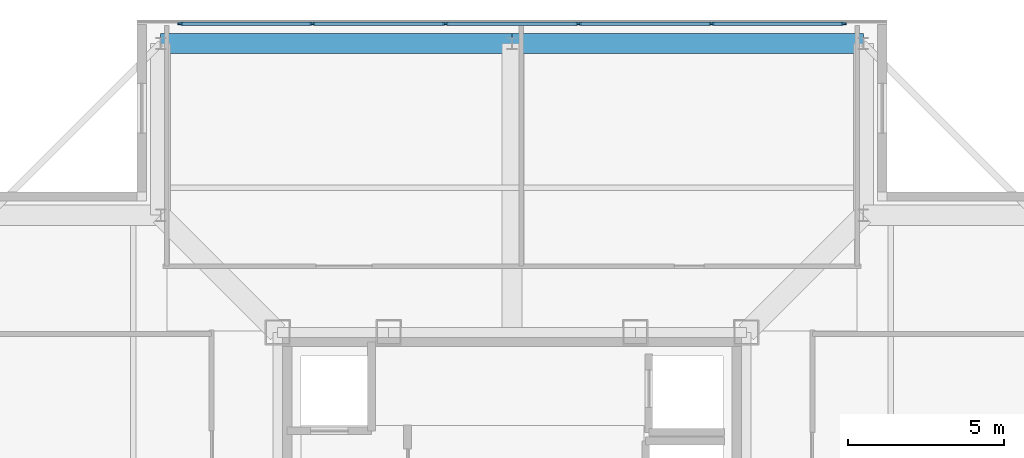
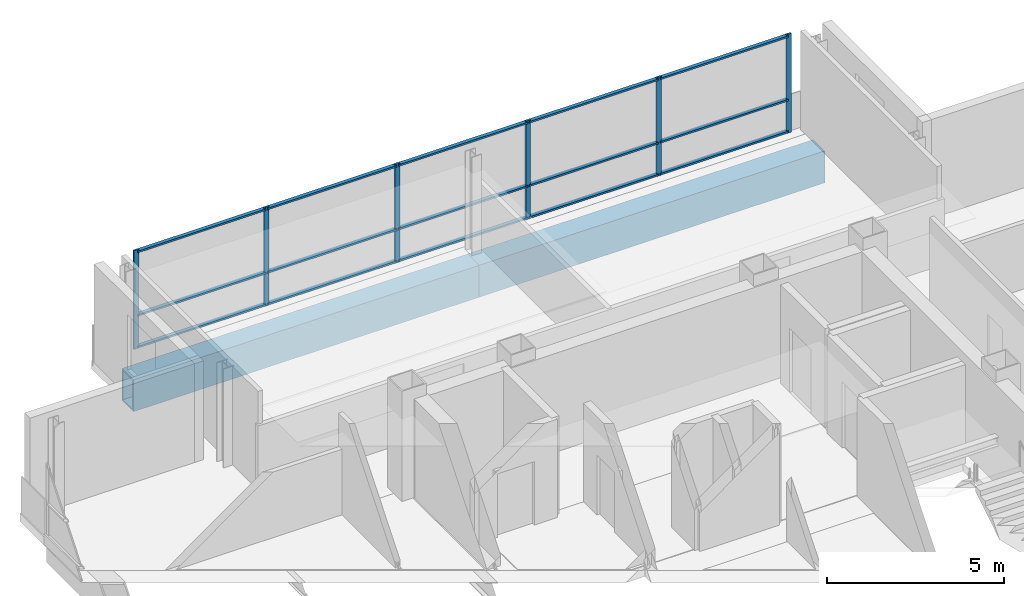
# One storey, part 7 of 12: 21 members, 2 beams, 1 element without a shape of its own.
"""IFC4 building model written with IfcOpenShell, lengths in metres."""

from ifc_helpers import new_model, si_unit, direction, frame, origin, origin_2d, place, context, subcontext, project, spatial, rectangle, hollow_rectangle, extrude, material, layer, layer_set, material_profile, profile_set, type_object, element, aggregate, save


model = new_model("IFC4")

# Units and contexts
model_context = context("Model", 3, precision=1e-05, world=origin(), true_north=direction((0.0, 1.0)))
body_context = subcontext(model_context, "Body", "Model", "MODEL_VIEW")
ifc_project = project(units=[si_unit("LENGTHUNIT", "METRE"), si_unit("AREAUNIT", "SQUARE_METRE"), si_unit("VOLUMEUNIT", "CUBIC_METRE"), si_unit("PLANEANGLEUNIT", "RADIAN"), si_unit("MASSUNIT", "GRAM", prefix="KILO")], contexts=[model_context])

# Site, building, storey
site_placement = place(None, origin())
site = spatial("IfcSite", under=ifc_project, at=site_placement, CompositionType="ELEMENT")
building_placement = place(site_placement, origin())
building = spatial("IfcBuilding", under=site, at=building_placement, Name="Trevonay Congress Spire", CompositionType="ELEMENT")
storey_placement = place(building_placement, frame((0.0, 0.0, 304.60009765625)))
storey = spatial("IfcBuildingStorey", under=building, at=storey_placement, Name="L80", CompositionType="ELEMENT", Elevation=304.60009765625)

# Beams
ifc_material_1 = material(Name="Steel ASTM A572 Grade 50", Category="steel")
ifc_material_profile_1 = material_profile(ifc_material_1, hollow_rectangle(XDim=0.64990234375, YDim=1.10009765625, WallThickness=0.044921875, at=origin_2d()), Name="BOX 1100x650x45")
ifc_profile_set_1 = profile_set([ifc_material_profile_1], Name="Steel ASTM A572 Grade 50")
beam_type = type_object("IfcBeamType", Name="BM-RING-BOX1100", PredefinedType="BEAM", material=ifc_profile_set_1)
for number, where, z_axis, x_axis, name in (
    (1, (-11.25, 16.75, -0.830078125), (1.0, 0.0, 0.0), (0.0, 1.0, 0.0), "L80 structural beam BM-L80-PN1"),
    (2, (0.0, 16.75, -0.830078125), (1.0, 0.0, 0.0), (0.0, 1.0, 0.0), "L80 structural beam BM-L80-PN2"),
):
    element("IfcBeam", number, at=place(storey_placement, frame(where, z_axis=z_axis, x_axis=x_axis)), inside=storey, type_object=beam_type, Name=name, PredefinedType="BEAM", context=body_context, shape_type="SweptSolid", body=[
        extrude(hollow_rectangle(XDim=0.64990234375, YDim=1.10009765625, WallThickness=0.044921875, at=origin_2d()), origin(), (0.0, 0.0, 1.0), 11.25),
    ])

# Curtain wall, members
ifc_material_2 = material(Name="Pale Anodised Aluminium EN AW-6063-T6", Category="aluminium")
ifc_layer = layer(ifc_material_2, 0.159912109375, Name="Pale Anodised Aluminium EN AW-6063-T6")
ifc_layer_set = layer_set([ifc_layer], Name="Pale Anodised Aluminium EN AW-6063-T6")
curtain_wall_type = type_object("IfcCurtainWallType", Name="CW-SYS06-CROWN-PALE-METAL", PredefinedType="NOTDEFINED", material=ifc_layer_set)
curtain_wall_placement = place(storey_placement, origin())
curtain_wall = element("IfcCurtainWall", 3, at=curtain_wall_placement, inside=storey, type_object=curtain_wall_type, Name="L80 N unitised curtain wall", PredefinedType="NOTDEFINED")
ifc_material_profile_2 = material_profile(ifc_material_2, rectangle(XDim=0.06005859375, YDim=0.159912109375, at=origin_2d()), Name="CW-MULLION-160-ALUMINIUM")
ifc_profile_set_2 = profile_set([ifc_material_profile_2], Name="Pale Anodised Aluminium EN AW-6063-T6")
member_type_1 = type_object("IfcMemberType", Name="CW-MULLION-160-ALUMINIUM", PredefinedType="MULLION", material=ifc_profile_set_2)
member_1_placement = place(storey_placement, frame((-10.6201171875, 17.3798828125, 0.0), z_axis=(0.0, 0.0, 1.0), x_axis=(0.0, 1.0, 0.0)))
member_1 = element("IfcMember", 4, at=member_1_placement, type_object=member_type_1, Name="CW06 mullion 1", PredefinedType="MULLION", context=body_context, shape_type="SweptSolid", body=[
    extrude(rectangle(XDim=0.06005859375, YDim=0.159912109375, at=origin_2d()), origin(), (0.0, 0.0, 1.0), 3.39990234375),
])
member_2_placement = place(storey_placement, frame((-6.389892578125, 17.3798828125, 0.0), z_axis=(0.0, 0.0, 1.0), x_axis=(0.0, 1.0, 0.0)))
member_2 = element("IfcMember", 5, at=member_2_placement, type_object=member_type_1, Name="CW06 mullion 2", PredefinedType="MULLION", context=body_context, shape_type="SweptSolid", body=[
    extrude(rectangle(XDim=0.06005859375, YDim=0.159912109375, at=origin_2d()), origin(), (0.0, 0.0, 1.0), 3.39990234375),
])
member_3_placement = place(storey_placement, frame((-2.1298828125, 17.3798828125, 0.0), z_axis=(0.0, 0.0, 1.0), x_axis=(0.0, 1.0, 0.0)))
member_3 = element("IfcMember", 6, at=member_3_placement, type_object=member_type_1, Name="CW06 mullion 3", PredefinedType="MULLION", context=body_context, shape_type="SweptSolid", body=[
    extrude(rectangle(XDim=0.06005859375, YDim=0.159912109375, at=origin_2d()), origin(), (0.0, 0.0, 1.0), 3.39990234375),
])
member_4_placement = place(storey_placement, frame((2.1298828125, 17.3798828125, 0.0), z_axis=(0.0, 0.0, 1.0), x_axis=(0.0, 1.0, 0.0)))
member_4 = element("IfcMember", 7, at=member_4_placement, type_object=member_type_1, Name="CW06 mullion 4", PredefinedType="MULLION", context=body_context, shape_type="SweptSolid", body=[
    extrude(rectangle(XDim=0.06005859375, YDim=0.159912109375, at=origin_2d()), origin(), (0.0, 0.0, 1.0), 3.39990234375),
])
member_5_placement = place(storey_placement, frame((6.389892578125, 17.3798828125, 0.0), z_axis=(0.0, 0.0, 1.0), x_axis=(0.0, 1.0, 0.0)))
member_5 = element("IfcMember", 8, at=member_5_placement, type_object=member_type_1, Name="CW06 mullion 5", PredefinedType="MULLION", context=body_context, shape_type="SweptSolid", body=[
    extrude(rectangle(XDim=0.06005859375, YDim=0.159912109375, at=origin_2d()), origin(), (0.0, 0.0, 1.0), 3.39990234375),
])
member_6_placement = place(storey_placement, frame((10.6201171875, 17.3798828125, 0.0), z_axis=(0.0, 0.0, 1.0), x_axis=(0.0, 1.0, 0.0)))
member_6 = element("IfcMember", 9, at=member_6_placement, type_object=member_type_1, Name="CW06 mullion 6", PredefinedType="MULLION", context=body_context, shape_type="SweptSolid", body=[
    extrude(rectangle(XDim=0.06005859375, YDim=0.159912109375, at=origin_2d()), origin(), (0.0, 0.0, 1.0), 3.39990234375),
])
ifc_material_profile_3 = material_profile(ifc_material_2, rectangle(XDim=0.1201171875, YDim=0.06005859375, at=origin_2d()), Name="CW-TRANSOM-120-ALUMINIUM")
ifc_profile_set_3 = profile_set([ifc_material_profile_3], Name="Pale Anodised Aluminium EN AW-6063-T6")
member_type_2 = type_object("IfcMemberType", Name="CW-TRANSOM-120-ALUMINIUM", PredefinedType="USERDEFINED", material=ifc_profile_set_3)
member_7_placement = place(storey_placement, frame((-10.590087890625, 17.3798828125, 0.059814453125), z_axis=(1.0, 0.0, 0.0), x_axis=(0.0, 1.0, 0.0)))
member_7 = element("IfcMember", 10, at=member_7_placement, type_object=member_type_2, Name="CW06 transom 1.1", ObjectType="TRANSOM", PredefinedType="USERDEFINED", context=body_context, shape_type="SweptSolid", body=[
    extrude(rectangle(XDim=0.1201171875, YDim=0.06005859375, at=origin_2d()), origin(), (0.0, 0.0, 1.0), 4.170166015625),
])
member_8_placement = place(storey_placement, frame((-10.590087890625, 17.3798828125, 1.156005859375), z_axis=(1.0, 0.0, 0.0), x_axis=(0.0, 1.0, 0.0)))
member_8 = element("IfcMember", 11, at=member_8_placement, type_object=member_type_2, Name="CW06 transom 1.2", ObjectType="TRANSOM", PredefinedType="USERDEFINED", context=body_context, shape_type="SweptSolid", body=[
    extrude(rectangle(XDim=0.1201171875, YDim=0.06005859375, at=origin_2d()), origin(), (0.0, 0.0, 1.0), 4.170166015625),
])
member_9_placement = place(storey_placement, frame((-10.590087890625, 17.3798828125, 3.33984375), z_axis=(1.0, 0.0, 0.0), x_axis=(0.0, 1.0, 0.0)))
member_9 = element("IfcMember", 12, at=member_9_placement, type_object=member_type_2, Name="CW06 transom 1.3", ObjectType="TRANSOM", PredefinedType="USERDEFINED", context=body_context, shape_type="SweptSolid", body=[
    extrude(rectangle(XDim=0.1201171875, YDim=0.06005859375, at=origin_2d()), origin(), (0.0, 0.0, 1.0), 4.170166015625),
])
member_10_placement = place(storey_placement, frame((-6.360107421875, 17.3798828125, 0.059814453125), z_axis=(1.0, 0.0, 0.0), x_axis=(0.0, 1.0, 0.0)))
member_10 = element("IfcMember", 13, at=member_10_placement, type_object=member_type_2, Name="CW06 transom 2.1", ObjectType="TRANSOM", PredefinedType="USERDEFINED", context=body_context, shape_type="SweptSolid", body=[
    extrude(rectangle(XDim=0.1201171875, YDim=0.06005859375, at=origin_2d()), origin(), (0.0, 0.0, 1.0), 4.2001953125),
])
member_11_placement = place(storey_placement, frame((-6.360107421875, 17.3798828125, 1.156005859375), z_axis=(1.0, 0.0, 0.0), x_axis=(0.0, 1.0, 0.0)))
member_11 = element("IfcMember", 14, at=member_11_placement, type_object=member_type_2, Name="CW06 transom 2.2", ObjectType="TRANSOM", PredefinedType="USERDEFINED", context=body_context, shape_type="SweptSolid", body=[
    extrude(rectangle(XDim=0.1201171875, YDim=0.06005859375, at=origin_2d()), origin(), (0.0, 0.0, 1.0), 4.2001953125),
])
member_12_placement = place(storey_placement, frame((-6.360107421875, 17.3798828125, 3.33984375), z_axis=(1.0, 0.0, 0.0), x_axis=(0.0, 1.0, 0.0)))
member_12 = element("IfcMember", 15, at=member_12_placement, type_object=member_type_2, Name="CW06 transom 2.3", ObjectType="TRANSOM", PredefinedType="USERDEFINED", context=body_context, shape_type="SweptSolid", body=[
    extrude(rectangle(XDim=0.1201171875, YDim=0.06005859375, at=origin_2d()), origin(), (0.0, 0.0, 1.0), 4.2001953125),
])
member_13_placement = place(storey_placement, frame((-2.10009765625, 17.3798828125, 0.059814453125), z_axis=(1.0, 0.0, 0.0), x_axis=(0.0, 1.0, 0.0)))
member_13 = element("IfcMember", 16, at=member_13_placement, type_object=member_type_2, Name="CW06 transom 3.1", ObjectType="TRANSOM", PredefinedType="USERDEFINED", context=body_context, shape_type="SweptSolid", body=[
    extrude(rectangle(XDim=0.1201171875, YDim=0.06005859375, at=origin_2d()), origin(), (0.0, 0.0, 1.0), 4.2001953125),
])
member_14_placement = place(storey_placement, frame((-2.10009765625, 17.3798828125, 1.156005859375), z_axis=(1.0, 0.0, 0.0), x_axis=(0.0, 1.0, 0.0)))
member_14 = element("IfcMember", 17, at=member_14_placement, type_object=member_type_2, Name="CW06 transom 3.2", ObjectType="TRANSOM", PredefinedType="USERDEFINED", context=body_context, shape_type="SweptSolid", body=[
    extrude(rectangle(XDim=0.1201171875, YDim=0.06005859375, at=origin_2d()), origin(), (0.0, 0.0, 1.0), 4.2001953125),
])
member_15_placement = place(storey_placement, frame((-2.10009765625, 17.3798828125, 3.33984375), z_axis=(1.0, 0.0, 0.0), x_axis=(0.0, 1.0, 0.0)))
member_15 = element("IfcMember", 18, at=member_15_placement, type_object=member_type_2, Name="CW06 transom 3.3", ObjectType="TRANSOM", PredefinedType="USERDEFINED", context=body_context, shape_type="SweptSolid", body=[
    extrude(rectangle(XDim=0.1201171875, YDim=0.06005859375, at=origin_2d()), origin(), (0.0, 0.0, 1.0), 4.2001953125),
])
member_16_placement = place(storey_placement, frame((2.159912109375, 17.3798828125, 0.059814453125), z_axis=(1.0, 0.0, 0.0), x_axis=(0.0, 1.0, 0.0)))
member_16 = element("IfcMember", 19, at=member_16_placement, type_object=member_type_2, Name="CW06 transom 4.1", ObjectType="TRANSOM", PredefinedType="USERDEFINED", context=body_context, shape_type="SweptSolid", body=[
    extrude(rectangle(XDim=0.1201171875, YDim=0.06005859375, at=origin_2d()), origin(), (0.0, 0.0, 1.0), 4.2001953125),
])
member_17_placement = place(storey_placement, frame((2.159912109375, 17.3798828125, 1.156005859375), z_axis=(1.0, 0.0, 0.0), x_axis=(0.0, 1.0, 0.0)))
member_17 = element("IfcMember", 20, at=member_17_placement, type_object=member_type_2, Name="CW06 transom 4.2", ObjectType="TRANSOM", PredefinedType="USERDEFINED", context=body_context, shape_type="SweptSolid", body=[
    extrude(rectangle(XDim=0.1201171875, YDim=0.06005859375, at=origin_2d()), origin(), (0.0, 0.0, 1.0), 4.2001953125),
])
member_18_placement = place(storey_placement, frame((2.159912109375, 17.3798828125, 3.33984375), z_axis=(1.0, 0.0, 0.0), x_axis=(0.0, 1.0, 0.0)))
member_18 = element("IfcMember", 21, at=member_18_placement, type_object=member_type_2, Name="CW06 transom 4.3", ObjectType="TRANSOM", PredefinedType="USERDEFINED", context=body_context, shape_type="SweptSolid", body=[
    extrude(rectangle(XDim=0.1201171875, YDim=0.06005859375, at=origin_2d()), origin(), (0.0, 0.0, 1.0), 4.2001953125),
])
member_19_placement = place(storey_placement, frame((6.419921875, 17.3798828125, 0.059814453125), z_axis=(1.0, 0.0, 0.0), x_axis=(0.0, 1.0, 0.0)))
member_19 = element("IfcMember", 22, at=member_19_placement, type_object=member_type_2, Name="CW06 transom 5.1", ObjectType="TRANSOM", PredefinedType="USERDEFINED", context=body_context, shape_type="SweptSolid", body=[
    extrude(rectangle(XDim=0.1201171875, YDim=0.06005859375, at=origin_2d()), origin(), (0.0, 0.0, 1.0), 4.170166015625),
])
member_20_placement = place(storey_placement, frame((6.419921875, 17.3798828125, 1.156005859375), z_axis=(1.0, 0.0, 0.0), x_axis=(0.0, 1.0, 0.0)))
member_20 = element("IfcMember", 23, at=member_20_placement, type_object=member_type_2, Name="CW06 transom 5.2", ObjectType="TRANSOM", PredefinedType="USERDEFINED", context=body_context, shape_type="SweptSolid", body=[
    extrude(rectangle(XDim=0.1201171875, YDim=0.06005859375, at=origin_2d()), origin(), (0.0, 0.0, 1.0), 4.170166015625),
])
member_21_placement = place(storey_placement, frame((6.419921875, 17.3798828125, 3.33984375), z_axis=(1.0, 0.0, 0.0), x_axis=(0.0, 1.0, 0.0)))
member_21 = element("IfcMember", 24, at=member_21_placement, type_object=member_type_2, Name="CW06 transom 5.3", ObjectType="TRANSOM", PredefinedType="USERDEFINED", context=body_context, shape_type="SweptSolid", body=[
    extrude(rectangle(XDim=0.1201171875, YDim=0.06005859375, at=origin_2d()), origin(), (0.0, 0.0, 1.0), 4.170166015625),
])
aggregate(curtain_wall, [member_1, member_2, member_3, member_4, member_5, member_6, member_7, member_8, member_9, member_10, member_11, member_12, member_13, member_14, member_15, member_16, member_17, member_18, member_19, member_20, member_21])

save(model, "model.ifc")
